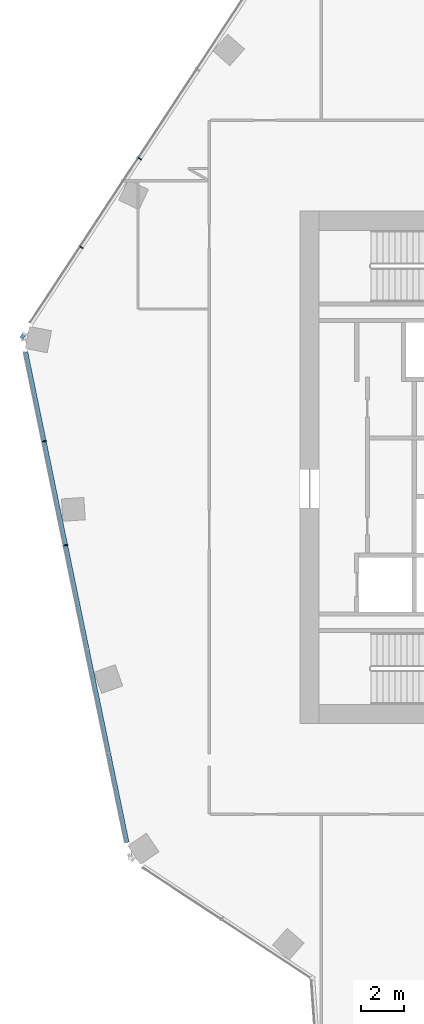
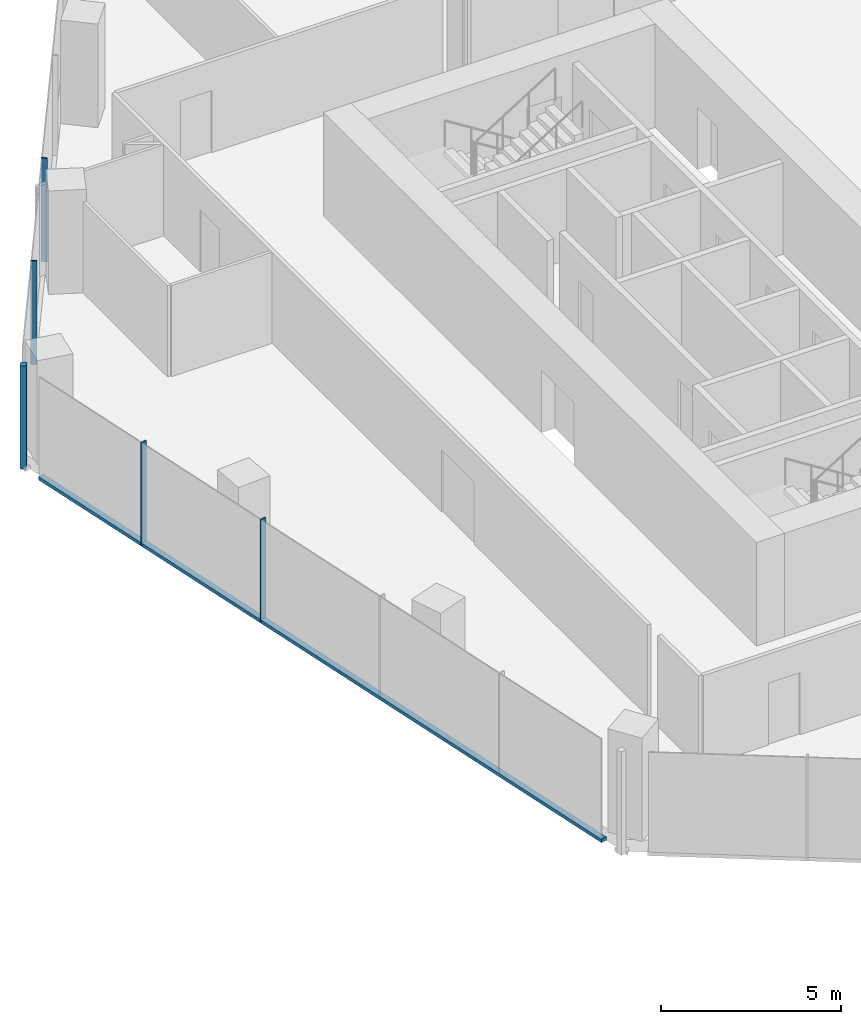
# One storey, part 6 of 24: 6 members, 2 elements without a shape of their own.
"""IFC4 building model written with IfcOpenShell, lengths in metres."""

from ifc_helpers import new_model, si_unit, direction, frame, origin, origin_2d, place, context, subcontext, project, spatial, rectangle, extrude, material, material_profile, profile_set, type_object, element, aggregate, save


model = new_model("IFC4")

# Units and contexts
model_context = context("Model", 3, precision=1e-05, world=origin(), true_north=direction((0.0, 1.0)))
body_context = subcontext(model_context, "Body", "Model", "MODEL_VIEW")
ifc_project = project(units=[si_unit("LENGTHUNIT", "METRE"), si_unit("AREAUNIT", "SQUARE_METRE"), si_unit("VOLUMEUNIT", "CUBIC_METRE"), si_unit("PLANEANGLEUNIT", "RADIAN"), si_unit("MASSUNIT", "GRAM", prefix="KILO")], contexts=[model_context])

# Site, building, storey
site_placement = place(None, origin())
site = spatial("IfcSite", under=ifc_project, at=site_placement, CompositionType="ELEMENT")
building_placement = place(site_placement, origin())
building = spatial("IfcBuilding", under=site, at=building_placement, Name="Orlundy Tower", CompositionType="ELEMENT")
storey_placement = place(building_placement, frame((0.0, 0.0, 235.5)))
storey = spatial("IfcBuildingStorey", under=building, at=storey_placement, Name="L62", CompositionType="ELEMENT", Elevation=235.5)

# Curtain wall, member
ifc_material_1 = material(Name="Aluminium bronze anodised", Category="aluminium")
curtain_wall_type = type_object("IfcCurtainWallType", Name="CW1 wall", PredefinedType="NOTDEFINED", material=ifc_material_1)
curtain_wall_1_placement = place(storey_placement, origin())
curtain_wall_1 = element("IfcCurtainWall", 1, at=curtain_wall_1_placement, inside=storey, type_object=curtain_wall_type, Name="CW1 run 015", PredefinedType="NOTDEFINED")
ifc_material_2 = material(Name="Aluminium bronze anodised", Category="aluminium")
ifc_material_profile_1 = material_profile(ifc_material_2, rectangle(XDim=0.179931640625, YDim=0.179931640625, at=origin_2d()), Name="CW1 corner post 180x180")
ifc_profile_set_1 = profile_set([ifc_material_profile_1], Name="Aluminium bronze anodised")
member_type_1 = type_object("IfcMemberType", Name="CW1 corner post 180x180", PredefinedType="MULLION", material=ifc_profile_set_1)
member_1_placement = place(storey_placement, frame((-31.98876953125, 6.121337890625, -0.39990234375), z_axis=(0.0, 0.0, 1.0), x_axis=(-0.835482225793, 0.5495174705, 0.0)))
member_1 = element("IfcMember", 2, at=member_1_placement, type_object=member_type_1, Name="CW1 mullion 27", PredefinedType="MULLION", context=body_context, shape_type="SweptSolid", body=[
    extrude(rectangle(XDim=0.179931640625, YDim=0.179931640625, at=origin_2d()), origin(), (0.0, 0.0, 1.0), 3.5),
])

# Curtain wall, members
curtain_wall_2_placement = place(storey_placement, origin())
curtain_wall_2 = element("IfcCurtainWall", 3, at=curtain_wall_2_placement, inside=storey, type_object=curtain_wall_type, Name="CW1 run 014", PredefinedType="NOTDEFINED")
ifc_material_3 = material(Name="Aluminium bronze anodised", Category="aluminium")
ifc_material_profile_2 = material_profile(ifc_material_3, rectangle(XDim=0.179931640625, YDim=0.050048828125, at=origin_2d()), Name="CW1 mullion 50x180")
ifc_profile_set_2 = profile_set([ifc_material_profile_2], Name="Aluminium bronze anodised")
member_type_2 = type_object("IfcMemberType", Name="CW1 mullion 50x180", PredefinedType="MULLION", material=ifc_profile_set_2)
member_2_placement = place(storey_placement, frame((-29.970703125, -3.65087890625, -0.39990234375), z_axis=(0.0, 0.0, 1.0), x_axis=(-0.979337428215, -0.202233038095, 0.0)))
member_2 = element("IfcMember", 4, at=member_2_placement, type_object=member_type_2, Name="CW1 mullion 25", PredefinedType="MULLION", context=body_context, shape_type="SweptSolid", body=[
    extrude(rectangle(XDim=0.179931640625, YDim=0.050048828125, at=origin_2d()), origin(), (0.0, 0.0, 1.0), 3.5),
])
member_3_placement = place(storey_placement, frame((-30.975830078125, 1.217041015625, -0.39990234375), z_axis=(0.0, 0.0, 1.0), x_axis=(-0.979337428215, -0.202233038095, 0.0)))
member_3 = element("IfcMember", 5, at=member_3_placement, type_object=member_type_2, Name="CW1 mullion 26", PredefinedType="MULLION", context=body_context, shape_type="SweptSolid", body=[
    extrude(rectangle(XDim=0.179931640625, YDim=0.050048828125, at=origin_2d()), origin(), (0.0, 0.0, 1.0), 3.5),
])

# Member
member_4_placement = place(storey_placement, frame((-29.23681640625, 10.30517578125, -0.39990234375), z_axis=(0.0, 0.0, 1.0), x_axis=(-0.835482225793, 0.5495174705, 0.0)))
member_4 = element("IfcMember", 6, at=member_4_placement, type_object=member_type_2, Name="CW1 mullion 28", PredefinedType="MULLION", context=body_context, shape_type="SweptSolid", body=[
    extrude(rectangle(XDim=0.179931640625, YDim=0.050048828125, at=origin_2d()), origin(), (0.0, 0.0, 1.0), 3.5),
])

member_5_placement = place(storey_placement, frame((-26.50537109375, 14.4580078125, -0.39990234375), z_axis=(0.0, 0.0, 1.0), x_axis=(-0.835482225793, 0.5495174705, 0.0)))
member_5 = element("IfcMember", 7, at=member_5_placement, type_object=member_type_2, Name="CW1 mullion 29", PredefinedType="MULLION", context=body_context, shape_type="SweptSolid", body=[
    extrude(rectangle(XDim=0.179931640625, YDim=0.050048828125, at=origin_2d()), origin(), (0.0, 0.0, 1.0), 3.5),
])

aggregate(curtain_wall_1, [member_1, member_4, member_5])

ifc_material_4 = material(Name="Aluminium bronze anodised", Category="aluminium")
ifc_material_profile_3 = material_profile(ifc_material_4, rectangle(XDim=0.179931640625, YDim=0.1201171875, at=origin_2d()), Name="CW1 transom 180x120")
ifc_profile_set_3 = profile_set([ifc_material_profile_3], Name="Aluminium bronze anodised")
member_type_3 = type_object("IfcMemberType", Name="CW1 transom 180x120", PredefinedType="USERDEFINED", material=ifc_profile_set_3)
member_6_placement = place(storey_placement, frame((-27.095458984375, -17.57470703125, -0.340087890625), z_axis=(-0.202238841113, 0.979336229875, 0.0), x_axis=(-0.979336229875, -0.202238841113, 0.0)))
member_6 = element("IfcMember", 8, at=member_6_placement, type_object=member_type_3, Name="CW1 transom", ObjectType="TRANSOM", PredefinedType="USERDEFINED", context=body_context, shape_type="SweptSolid", body=[
    extrude(rectangle(XDim=0.179931640625, YDim=0.1201171875, at=origin_2d()), origin(), (0.0, 0.0, 1.0), 23.46533203125),
])

aggregate(curtain_wall_2, [member_2, member_3, member_6])

save(model, "model.ifc")
